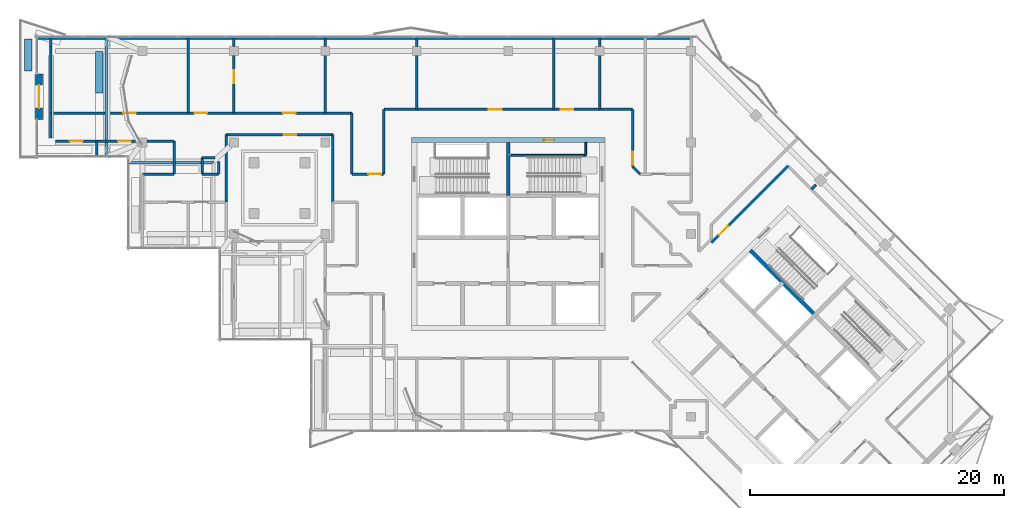
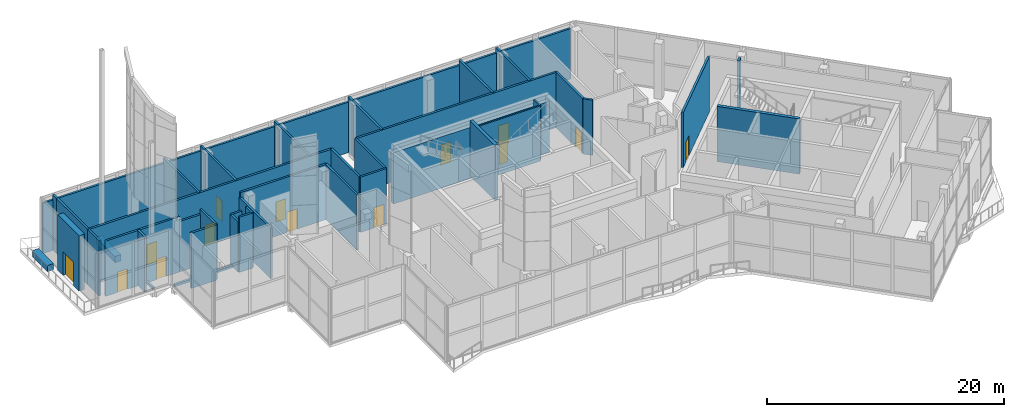
# One storey, part 14 of 19: 45 walls, 14 doors, 14 openings.
"""IFC4 building model written with IfcOpenShell, lengths in metres."""

from ifc_helpers import new_model, si_unit, direction, frame, frame_2d, origin, place, context, subcontext, project, spatial, polyline, rectangle, outline, extrude, material, layer, layer_set, type_object, element, fill, save


model = new_model("IFC4")

# Units and contexts
model_context = context("Model", 3, precision=1e-05, world=origin(), true_north=direction((0.0, 1.0)))
body_context = subcontext(model_context, "Body", "Model", "MODEL_VIEW")
ifc_project = project(units=[si_unit("LENGTHUNIT", "METRE"), si_unit("AREAUNIT", "SQUARE_METRE"), si_unit("VOLUMEUNIT", "CUBIC_METRE"), si_unit("PLANEANGLEUNIT", "RADIAN"), si_unit("MASSUNIT", "GRAM", prefix="KILO")], contexts=[model_context])

# Site, building, storey
site_placement = place(None, origin())
site = spatial("IfcSite", under=ifc_project, at=site_placement, CompositionType="ELEMENT")
building_placement = place(site_placement, origin())
building = spatial("IfcBuilding", under=site, at=building_placement, Name="Windrow Commons", CompositionType="ELEMENT")
storey_placement = place(building_placement, frame((0.0, 0.0, 284.6)))
storey = spatial("IfcBuildingStorey", under=building, at=storey_placement, Name="L78", CompositionType="ELEMENT", Elevation=284.6)

# Wall, opening, door
ifc_material_1 = material(Name="Brick masonry, red clay brick", Category="masonry")
ifc_layer_1 = layer(ifc_material_1, 0.55)
ifc_layer_set_1 = layer_set([ifc_layer_1], Name="Brick facade wall 550")
wall_type_1 = type_object("IfcWallType", Name="Brick facade wall 550", PredefinedType="SOLIDWALL", material=ifc_layer_set_1)
wall_1_placement = place(storey_placement, frame((27.875, 70.2, 0.0), z_axis=(0.0, 0.0, 1.0), x_axis=(0.0, -1.0, 0.0)))
wall_1 = element("IfcWall", 1, at=wall_1_placement, inside=storey, type_object=wall_type_1, Name="Brick facade wall L78 door pier 6", PredefinedType="SOLIDWALL", context=body_context, shape_type="SweptSolid", body=[
    extrude(rectangle(XDim=3.6, YDim=0.55, at=frame_2d((1.8, 0.0))), origin(), (0.0, 0.0, 1.0), 5.7),
])
opening_1_placement = place(wall_1_placement, frame((0.9, 0.0, 0.0)))
opening_1 = element("IfcOpeningElement", 2, at=opening_1_placement, cuts=wall_1, Name="Opening TD5", PredefinedType="OPENING", context=body_context, shape_type="SweptSolid", body=[
    extrude(rectangle(XDim=1.8, YDim=2.4, at=frame_2d((0.9, 1.2))), frame((0.0, 0.285, 0.0), z_axis=(0.0, -1.0, 0.0), x_axis=(1.0, 0.0, 0.0)), (0.0, 0.0, 1.0), 0.57),
])
ifc_material_2 = material(Name="Aluminium 6063-T6 anodised frame with clear glass", Category="aluminium")
door_type_1 = type_object("IfcDoorType", Name="Terrace door TD5 1800x2400", OperationType="DOUBLE_DOOR_SINGLE_SWING", PredefinedType="DOOR", material=ifc_material_2)
door_1_placement = place(opening_1_placement, origin())
door_1 = element("IfcDoor", 3, at=door_1_placement, inside=storey, type_object=door_type_1, Name="Terrace door L78 6.1", OperationType="SINGLE_SWING_LEFT", OverallHeight=2.4, OverallWidth=1.8, PredefinedType="DOOR", context=body_context, shape_type="SweptSolid", body=[
    extrude(rectangle(XDim=1.8, YDim=2.4, at=frame_2d((0.9, 1.2))), frame((0.0, 0.025, 0.0), z_axis=(0.0, -1.0, 0.0), x_axis=(1.0, 0.0, 0.0)), (0.0, 0.0, 1.0), 0.05),
])
fill(opening_1, door_1)

# Wall, openings, doors
ifc_material_3 = material(Name="Blockwork partition", Category="masonry")
ifc_layer_2 = layer(ifc_material_3, 0.2)
ifc_layer_set_2 = layer_set([ifc_layer_2], Name="IW-CORRIDOR-200")
wall_type_2 = type_object("IfcWallType", Name="IW-CORRIDOR-200", PredefinedType="PARTITIONING", material=ifc_layer_set_2)
wall_2_placement = place(storey_placement, frame((28.8, 67.1, 0.0), z_axis=(0.0, 0.0, 1.0), x_axis=(1.0, 0.0, 0.0)))
wall_2 = element("IfcWall", 4, at=wall_2_placement, inside=storey, type_object=wall_type_2, Name="W-L78-W001", PredefinedType="PARTITIONING", context=body_context, shape_type="SweptSolid", body=[
    extrude(rectangle(XDim=23.7, YDim=0.2, at=frame_2d((11.85, 0.0))), origin(), (0.0, 0.0, 1.0), 5.7),
])
opening_2_placement = place(wall_2_placement, frame((5.6842, 0.0, 0.0)))
opening_2 = element("IfcOpeningElement", 5, at=opening_2_placement, cuts=wall_2, Name="Opening D410F", PredefinedType="OPENING", context=body_context, shape_type="SweptSolid", body=[
    extrude(rectangle(XDim=1.0, YDim=2.1, at=frame_2d((0.5, 1.05))), frame((0.0, 0.11, 0.0), z_axis=(0.0, -1.0, 0.0), x_axis=(1.0, 0.0, 0.0)), (0.0, 0.0, 1.0), 0.22),
])
opening_3_placement = place(wall_2_placement, frame((11.3075, 0.0, 0.0)))
opening_3 = element("IfcOpeningElement", 6, at=opening_3_placement, cuts=wall_2, Name="Opening D410F", PredefinedType="OPENING", context=body_context, shape_type="SweptSolid", body=[
    extrude(rectangle(XDim=1.0, YDim=2.1, at=frame_2d((0.5, 1.05))), frame((0.0, 0.11, 0.0), z_axis=(0.0, -1.0, 0.0), x_axis=(1.0, 0.0, 0.0)), (0.0, 0.0, 1.0), 0.22),
])
opening_4_placement = place(wall_2_placement, frame((18.2625, 0.0, 0.0)))
opening_4 = element("IfcOpeningElement", 7, at=opening_4_placement, cuts=wall_2, Name="Opening D410F", PredefinedType="OPENING", context=body_context, shape_type="SweptSolid", body=[
    extrude(rectangle(XDim=1.0, YDim=2.1, at=frame_2d((0.5, 1.05))), frame((0.0, 0.11, 0.0), z_axis=(0.0, -1.0, 0.0), x_axis=(1.0, 0.0, 0.0)), (0.0, 0.0, 1.0), 0.22),
])
ifc_material_4 = material(Name="Timber door leaf", Category="wood")
door_type_2 = type_object("IfcDoorType", Name="DT-SERVICE-1000", OperationType="SINGLE_SWING_LEFT", PredefinedType="DOOR", material=ifc_material_4)
door_2_placement = place(opening_2_placement, origin())
door_2 = element("IfcDoor", 8, at=door_2_placement, inside=storey, type_object=door_type_2, Name="D-L78-D003", OperationType="SINGLE_SWING_RIGHT", OverallHeight=2.1, OverallWidth=1.0, PredefinedType="DOOR", context=body_context, shape_type="SweptSolid", body=[
    extrude(rectangle(XDim=1.0, YDim=2.1, at=frame_2d((0.5, 1.05))), frame((0.0, 0.025, 0.0), z_axis=(0.0, -1.0, 0.0), x_axis=(1.0, 0.0, 0.0)), (0.0, 0.0, 1.0), 0.05),
])
fill(opening_2, door_2)
door_3_placement = place(opening_3_placement, origin())
door_3 = element("IfcDoor", 9, at=door_3_placement, inside=storey, type_object=door_type_2, Name="D-L78-D006", OperationType="SINGLE_SWING_LEFT", OverallHeight=2.1, OverallWidth=1.0, PredefinedType="DOOR", context=body_context, shape_type="SweptSolid", body=[
    extrude(rectangle(XDim=1.0, YDim=2.1, at=frame_2d((0.5, 1.05))), frame((0.0, 0.025, 0.0), z_axis=(0.0, -1.0, 0.0), x_axis=(1.0, 0.0, 0.0)), (0.0, 0.0, 1.0), 0.05),
])
fill(opening_3, door_3)
door_4_placement = place(opening_4_placement, origin())
door_4 = element("IfcDoor", 10, at=door_4_placement, inside=storey, type_object=door_type_2, Name="D-L78-D007", OperationType="SINGLE_SWING_RIGHT", OverallHeight=2.1, OverallWidth=1.0, PredefinedType="DOOR", context=body_context, shape_type="SweptSolid", body=[
    extrude(rectangle(XDim=1.0, YDim=2.1, at=frame_2d((0.5, 1.05))), frame((0.0, 0.025, 0.0), z_axis=(0.0, -1.0, 0.0), x_axis=(1.0, 0.0, 0.0)), (0.0, 0.0, 1.0), 0.05),
])
fill(opening_4, door_4)

wall_3_placement = place(storey_placement, frame((55.002, 67.4, 0.0), z_axis=(0.0, 0.0, 1.0), x_axis=(1.0, 0.0, 0.0)))
wall_3 = element("IfcWall", 11, at=wall_3_placement, inside=storey, type_object=wall_type_2, Name="W-L78-W003", PredefinedType="PARTITIONING", context=body_context, shape_type="SweptSolid", body=[
    extrude(rectangle(XDim=19.598, YDim=0.2, at=frame_2d((9.799, 0.0))), origin(), (0.0, 0.0, 1.0), 5.7),
])
opening_5_placement = place(wall_3_placement, frame((8.2822, 0.0, 0.0)))
opening_5 = element("IfcOpeningElement", 12, at=opening_5_placement, cuts=wall_3, Name="Opening D410F", PredefinedType="OPENING", context=body_context, shape_type="SweptSolid", body=[
    extrude(rectangle(XDim=1.0, YDim=2.1, at=frame_2d((0.5, 1.05))), frame((0.0, 0.11, 0.0), z_axis=(0.0, -1.0, 0.0), x_axis=(1.0, 0.0, 0.0)), (0.0, 0.0, 1.0), 0.22),
])
opening_6_placement = place(wall_3_placement, frame((13.923, 0.0, 0.0)))
opening_6 = element("IfcOpeningElement", 13, at=opening_6_placement, cuts=wall_3, Name="Opening D410F", PredefinedType="OPENING", context=body_context, shape_type="SweptSolid", body=[
    extrude(rectangle(XDim=1.0, YDim=2.1, at=frame_2d((0.5, 1.05))), frame((0.0, 0.11, 0.0), z_axis=(0.0, -1.0, 0.0), x_axis=(1.0, 0.0, 0.0)), (0.0, 0.0, 1.0), 0.22),
])
door_5_placement = place(opening_5_placement, origin())
door_5 = element("IfcDoor", 14, at=door_5_placement, inside=storey, type_object=door_type_2, Name="D-L78-D015", OperationType="SINGLE_SWING_RIGHT", OverallHeight=2.1, OverallWidth=1.0, PredefinedType="DOOR", context=body_context, shape_type="SweptSolid", body=[
    extrude(rectangle(XDim=1.0, YDim=2.1, at=frame_2d((0.5, 1.05))), frame((0.0, 0.025, 0.0), z_axis=(0.0, -1.0, 0.0), x_axis=(1.0, 0.0, 0.0)), (0.0, 0.0, 1.0), 0.05),
])
fill(opening_5, door_5)
door_6_placement = place(opening_6_placement, origin())
door_6 = element("IfcDoor", 15, at=door_6_placement, inside=storey, type_object=door_type_2, Name="D-L78-D016", OperationType="SINGLE_SWING_LEFT", OverallHeight=2.1, OverallWidth=1.0, PredefinedType="DOOR", context=body_context, shape_type="SweptSolid", body=[
    extrude(rectangle(XDim=1.0, YDim=2.1, at=frame_2d((0.5, 1.05))), frame((0.0, 0.025, 0.0), z_axis=(0.0, -1.0, 0.0), x_axis=(1.0, 0.0, 0.0)), (0.0, 0.0, 1.0), 0.05),
])
fill(opening_6, door_6)

# Wall, opening, door
wall_4_placement = place(storey_placement, frame((80.8038, 56.9122, 0.0), z_axis=(0.0, 0.0, 1.0), x_axis=(0.7069896038, 0.7072239391, 0.0)))
wall_4 = element("IfcWall", 16, at=wall_4_placement, inside=storey, type_object=wall_type_2, Name="W-L78-W012", PredefinedType="PARTITIONING", context=body_context, shape_type="SweptSolid", body=[
    extrude(rectangle(XDim=8.5348, YDim=0.2, at=frame_2d((4.2674, 0.0))), origin(), (0.0, 0.0, 1.0), 5.7),
])
opening_7_placement = place(wall_4_placement, frame((0.8592, 0.0, 0.0)))
opening_7 = element("IfcOpeningElement", 17, at=opening_7_placement, cuts=wall_4, Name="Opening D410F", PredefinedType="OPENING", context=body_context, shape_type="SweptSolid", body=[
    extrude(rectangle(XDim=1.0, YDim=2.1, at=frame_2d((0.5, 1.05))), frame((0.0, 0.11, 0.0), z_axis=(0.0, -1.0, 0.0), x_axis=(1.0, 0.0, 0.0)), (0.0, 0.0, 1.0), 0.22),
])
door_7_placement = place(opening_7_placement, origin())
door_7 = element("IfcDoor", 18, at=door_7_placement, inside=storey, type_object=door_type_2, Name="D-L78-D022", OperationType="SINGLE_SWING_RIGHT", OverallHeight=2.1, OverallWidth=1.0, PredefinedType="DOOR", context=body_context, shape_type="SweptSolid", body=[
    extrude(rectangle(XDim=1.0, YDim=2.1, at=frame_2d((0.5, 1.05))), frame((0.0, 0.025, 0.0), z_axis=(0.0, -1.0, 0.0), x_axis=(1.0, 0.0, 0.0)), (0.0, 0.0, 1.0), 0.05),
])
fill(opening_7, door_7)

wall_5_placement = place(storey_placement, frame((42.602, 65.4, 0.0), z_axis=(0.0, 0.0, 1.0), x_axis=(1.0, 0.0, 0.0)))
wall_5 = element("IfcWall", 19, at=wall_5_placement, inside=storey, type_object=wall_type_2, Name="W-L78-W014", PredefinedType="PARTITIONING", context=body_context, shape_type="SweptSolid", body=[
    extrude(rectangle(XDim=8.398, YDim=0.2, at=frame_2d((4.199, 0.0))), origin(), (0.0, 0.0, 1.0), 5.7),
])
opening_8_placement = place(wall_5_placement, frame((4.526, 0.0, 0.0)))
opening_8 = element("IfcOpeningElement", 20, at=opening_8_placement, cuts=wall_5, Name="Opening D410F", PredefinedType="OPENING", context=body_context, shape_type="SweptSolid", body=[
    extrude(rectangle(XDim=1.0, YDim=2.1, at=frame_2d((0.5, 1.05))), frame((0.0, 0.11, 0.0), z_axis=(0.0, -1.0, 0.0), x_axis=(1.0, 0.0, 0.0)), (0.0, 0.0, 1.0), 0.22),
])
door_8_placement = place(opening_8_placement, origin())
door_8 = element("IfcDoor", 21, at=door_8_placement, inside=storey, type_object=door_type_2, Name="D-L78-D029", OperationType="SINGLE_SWING_LEFT", OverallHeight=2.1, OverallWidth=1.0, PredefinedType="DOOR", context=body_context, shape_type="SweptSolid", body=[
    extrude(rectangle(XDim=1.0, YDim=2.1, at=frame_2d((0.5, 1.05))), frame((0.0, 0.025, 0.0), z_axis=(0.0, -1.0, 0.0), x_axis=(1.0, 0.0, 0.0)), (0.0, 0.0, 1.0), 0.05),
])
fill(opening_8, door_8)

# Wall, openings, doors
wall_6_placement = place(storey_placement, frame((29.15, 64.9, 0.0), z_axis=(0.0, 0.0, 1.0), x_axis=(1.0, 0.0, 0.0)))
wall_6 = element("IfcWall", 22, at=wall_6_placement, inside=storey, type_object=wall_type_2, Name="W-L78-W017", PredefinedType="PARTITIONING", context=body_context, shape_type="SweptSolid", body=[
    extrude(rectangle(XDim=7.2, YDim=0.2, at=frame_2d((3.6, 0.0))), origin(), (0.0, 0.0, 1.0), 5.7),
])
opening_9_placement = place(wall_6_placement, frame((1.1404, 0.0, 0.0)))
opening_9 = element("IfcOpeningElement", 23, at=opening_9_placement, cuts=wall_6, Name="Opening D410F", PredefinedType="OPENING", context=body_context, shape_type="SweptSolid", body=[
    extrude(rectangle(XDim=1.0, YDim=2.1, at=frame_2d((0.5, 1.05))), frame((0.0, 0.11, 0.0), z_axis=(0.0, -1.0, 0.0), x_axis=(1.0, 0.0, 0.0)), (0.0, 0.0, 1.0), 0.22),
])
opening_10_placement = place(wall_6_placement, frame((4.9433, 0.0, 0.0)))
opening_10 = element("IfcOpeningElement", 24, at=opening_10_placement, cuts=wall_6, Name="Opening D410F", PredefinedType="OPENING", context=body_context, shape_type="SweptSolid", body=[
    extrude(rectangle(XDim=1.0, YDim=2.1, at=frame_2d((0.5, 1.05))), frame((0.0, 0.11, 0.0), z_axis=(0.0, -1.0, 0.0), x_axis=(1.0, 0.0, 0.0)), (0.0, 0.0, 1.0), 0.22),
])
door_9_placement = place(opening_9_placement, origin())
door_9 = element("IfcDoor", 25, at=door_9_placement, inside=storey, type_object=door_type_2, Name="D-L78-D002", OperationType="SINGLE_SWING_RIGHT", OverallHeight=2.1, OverallWidth=1.0, PredefinedType="DOOR", context=body_context, shape_type="SweptSolid", body=[
    extrude(rectangle(XDim=1.0, YDim=2.1, at=frame_2d((0.5, 1.05))), frame((0.0, 0.025, 0.0), z_axis=(0.0, -1.0, 0.0), x_axis=(1.0, 0.0, 0.0)), (0.0, 0.0, 1.0), 0.05),
])
fill(opening_9, door_9)
door_10_placement = place(opening_10_placement, origin())
door_10 = element("IfcDoor", 26, at=door_10_placement, inside=storey, type_object=door_type_2, Name="D-L78-D004", OperationType="SINGLE_SWING_RIGHT", OverallHeight=2.1, OverallWidth=1.0, PredefinedType="DOOR", context=body_context, shape_type="SweptSolid", body=[
    extrude(rectangle(XDim=1.0, YDim=2.1, at=frame_2d((0.5, 1.05))), frame((0.0, 0.025, 0.0), z_axis=(0.0, -1.0, 0.0), x_axis=(1.0, 0.0, 0.0)), (0.0, 0.0, 1.0), 0.05),
])
fill(opening_10, door_10)

# Walls
wall_7_placement = place(storey_placement, frame((51.0, 60.1, 0.0), z_axis=(0.0, 0.0, 1.0), x_axis=(0.0, 1.0, 0.0)))
element("IfcWall", 27, at=wall_7_placement, inside=storey, type_object=wall_type_2, Name="W-L78-W027", PredefinedType="PARTITIONING", context=body_context, shape_type="SweptSolid", body=[
    extrude(rectangle(XDim=5.3, YDim=0.2, at=frame_2d((2.65, 0.0))), origin(), (0.0, 0.0, 1.0), 5.7),
])
wall_8_placement = place(storey_placement, frame((42.6, 60.1, 0.0), z_axis=(0.0, 0.0, 1.0), x_axis=(0.0, 1.0, 0.0)))
element("IfcWall", 28, at=wall_8_placement, inside=storey, type_object=wall_type_2, Name="W-L78-W028", PredefinedType="PARTITIONING", context=body_context, shape_type="SweptSolid", body=[
    extrude(rectangle(XDim=5.3, YDim=0.2, at=frame_2d((2.65, 0.0))), origin(), (0.0, 0.0, 1.0), 5.2),
])
wall_9_placement = place(storey_placement, frame((55.0, 62.302, 0.0), z_axis=(0.0, 0.0, 1.0), x_axis=(0.0, 1.0, 0.0)))
element("IfcWall", 29, at=wall_9_placement, inside=storey, type_object=wall_type_2, Name="W-L78-W030", PredefinedType="PARTITIONING", context=body_context, shape_type="SweptSolid", body=[
    extrude(rectangle(XDim=5.098, YDim=0.2, at=frame_2d((2.549, 0.0))), origin(), (0.0, 0.0, 1.0), 5.7),
])
wall_10_placement = place(storey_placement, frame((52.5, 62.302, 0.0), z_axis=(0.0, 0.0, 1.0), x_axis=(0.0, 1.0, 0.0)))
element("IfcWall", 30, at=wall_10_placement, inside=storey, type_object=wall_type_2, Name="W-L78-W032", PredefinedType="PARTITIONING", context=body_context, shape_type="SweptSolid", body=[
    extrude(rectangle(XDim=4.798, YDim=0.2, at=frame_2d((2.399, 0.0))), origin(), (0.0, 0.0, 1.0), 5.7),
])

# Wall, opening, door
wall_11_placement = place(storey_placement, frame((74.6, 62.882, 0.0), z_axis=(0.0, 0.0, 1.0), x_axis=(0.0, 1.0, 0.0)))
wall_11 = element("IfcWall", 31, at=wall_11_placement, inside=storey, type_object=wall_type_2, Name="W-L78-W040", PredefinedType="PARTITIONING", context=body_context, shape_type="SweptSolid", body=[
    extrude(rectangle(XDim=4.518, YDim=0.2, at=frame_2d((2.259, 0.0))), origin(), (0.0, 0.0, 1.0), 5.7),
])
opening_11_placement = place(wall_11_placement, frame((0.1673, 0.0, 0.0)))
opening_11 = element("IfcOpeningElement", 32, at=opening_11_placement, cuts=wall_11, Name="Opening D410F", PredefinedType="OPENING", context=body_context, shape_type="SweptSolid", body=[
    extrude(rectangle(XDim=1.0, YDim=2.1, at=frame_2d((0.5, 1.05))), frame((0.0, 0.11, 0.0), z_axis=(0.0, -1.0, 0.0), x_axis=(1.0, 0.0, 0.0)), (0.0, 0.0, 1.0), 0.22),
])
door_11_placement = place(opening_11_placement, origin())
door_11 = element("IfcDoor", 33, at=door_11_placement, inside=storey, type_object=door_type_2, Name="D-L78-D009", OperationType="SINGLE_SWING_RIGHT", OverallHeight=2.1, OverallWidth=1.0, PredefinedType="DOOR", context=body_context, shape_type="SweptSolid", body=[
    extrude(rectangle(XDim=1.0, YDim=2.1, at=frame_2d((0.5, 1.05))), frame((0.0, 0.025, 0.0), z_axis=(0.0, -1.0, 0.0), x_axis=(1.0, 0.0, 0.0)), (0.0, 0.0, 1.0), 0.05),
])
fill(opening_11, door_11)

# Walls
wall_12_placement = place(storey_placement, frame((38.5, 62.302, 0.0), z_axis=(0.0, 0.0, 1.0), x_axis=(0.0, 1.0, 0.0)))
element("IfcWall", 34, at=wall_12_placement, inside=storey, type_object=wall_type_2, Name="W-L78-W056", PredefinedType="PARTITIONING", context=body_context, shape_type="SweptSolid", body=[
    extrude(rectangle(XDim=2.598, YDim=0.2, at=frame_2d((1.299, 0.0))), origin(), (0.0, 0.0, 1.0), 5.7),
])
wall_13_placement = place(storey_placement, frame((36.002, 62.3, 0.0), z_axis=(0.0, 0.0, 1.0), x_axis=(1.0, 0.0, 0.0)))
element("IfcWall", 35, at=wall_13_placement, inside=storey, type_object=wall_type_2, Name="W-L78-W062", PredefinedType="PARTITIONING", context=body_context, shape_type="SweptSolid", body=[
    extrude(rectangle(XDim=2.498, YDim=0.2, at=frame_2d((1.249, 0.0))), origin(), (0.0, 0.0, 1.0), 5.7),
])

# Wall, opening, door
wall_14_placement = place(storey_placement, frame((52.502, 62.3, 0.0), z_axis=(0.0, 0.0, 1.0), x_axis=(1.0, 0.0, 0.0)))
wall_14 = element("IfcWall", 36, at=wall_14_placement, inside=storey, type_object=wall_type_2, Name="W-L78-W063", PredefinedType="PARTITIONING", context=body_context, shape_type="SweptSolid", body=[
    extrude(rectangle(XDim=2.498, YDim=0.2, at=frame_2d((1.249, 0.0))), origin(), (0.0, 0.0, 1.0), 5.7),
])
opening_12_placement = place(wall_14_placement, frame((1.2988, 0.0, 0.0)))
opening_12 = element("IfcOpeningElement", 37, at=opening_12_placement, cuts=wall_14, Name="Opening D410F", PredefinedType="OPENING", context=body_context, shape_type="SweptSolid", body=[
    extrude(rectangle(XDim=1.0, YDim=2.1, at=frame_2d((0.5, 1.05))), frame((0.0, 0.11, 0.0), z_axis=(0.0, -1.0, 0.0), x_axis=(1.0, 0.0, 0.0)), (0.0, 0.0, 1.0), 0.22),
])
door_12_placement = place(opening_12_placement, origin())
door_12 = element("IfcDoor", 38, at=door_12_placement, inside=storey, type_object=door_type_2, Name="D-L78-D008", OperationType="SINGLE_SWING_RIGHT", OverallHeight=2.1, OverallWidth=1.0, PredefinedType="DOOR", context=body_context, shape_type="SweptSolid", body=[
    extrude(rectangle(XDim=1.0, YDim=2.1, at=frame_2d((0.5, 1.05))), frame((0.0, 0.025, 0.0), z_axis=(0.0, -1.0, 0.0), x_axis=(1.0, 0.0, 0.0)), (0.0, 0.0, 1.0), 0.05),
])
fill(opening_12, door_12)

# Walls
wall_15_placement = place(storey_placement, frame((36.35, 64.9, 0.0), z_axis=(0.0, 0.0, 1.0), x_axis=(1.0, 0.0, 0.0)))
element("IfcWall", 39, at=wall_15_placement, inside=storey, type_object=wall_type_2, Name="W-L78-W071", PredefinedType="PARTITIONING", context=body_context, shape_type="SweptSolid", body=[
    extrude(rectangle(XDim=2.15, YDim=0.2, at=frame_2d((1.075, 0.0))), origin(), (0.0, 0.0, 1.0), 5.2),
])
wall_16_placement = place(storey_placement, frame((28.8, 65.15, 0.0), z_axis=(0.0, 0.0, 1.0), x_axis=(0.0, 1.0, 0.0)))
element("IfcWall", 40, at=wall_16_placement, inside=storey, type_object=wall_type_2, Name="W-L78-W076", PredefinedType="PARTITIONING", context=body_context, shape_type="SweptSolid", body=[
    extrude(rectangle(XDim=1.95, YDim=0.2, at=frame_2d((0.975, 0.0))), origin(), (0.0, 0.0, 1.0), 5.7),
])
wall_17_placement = place(storey_placement, frame((40.702, 62.3, 0.0), z_axis=(0.0, 0.0, 1.0), x_axis=(1.0, 0.0, 0.0)))
element("IfcWall", 41, at=wall_17_placement, inside=storey, type_object=wall_type_2, Name="W-L78-W082", PredefinedType="PARTITIONING", context=body_context, shape_type="SweptSolid", body=[
    extrude(rectangle(XDim=1.298, YDim=0.2, at=frame_2d((0.649, 0.0))), origin(), (0.0, 0.0, 1.0), 5.7),
])
wall_18_placement = place(storey_placement, frame((40.7, 62.302, 0.0), z_axis=(0.0, 0.0, 1.0), x_axis=(0.0, 1.0, 0.0)))
element("IfcWall", 42, at=wall_18_placement, inside=storey, type_object=wall_type_2, Name="W-L78-W083", PredefinedType="PARTITIONING", context=body_context, shape_type="SweptSolid", body=[
    extrude(rectangle(XDim=1.298, YDim=0.2, at=frame_2d((0.649, 0.0))), origin(), (0.0, 0.0, 1.0), 5.2),
])
wall_19_placement = place(storey_placement, frame((40.702, 63.6, 0.0), z_axis=(0.0, 0.0, 1.0), x_axis=(1.0, 0.0, 0.0)))
element("IfcWall", 43, at=wall_19_placement, inside=storey, type_object=wall_type_2, Name="W-L78-W088", PredefinedType="PARTITIONING", context=body_context, shape_type="SweptSolid", body=[
    extrude(rectangle(XDim=0.998, YDim=0.2, at=frame_2d((0.499, 0.0))), origin(), (0.0, 0.0, 1.0), 5.2),
])
wall_20_placement = place(storey_placement, frame((42.0, 62.302, 0.0), z_axis=(0.0, 0.0, 1.0), x_axis=(0.0, 1.0, 0.0)))
element("IfcWall", 44, at=wall_20_placement, inside=storey, type_object=wall_type_2, Name="W-L78-W089", PredefinedType="PARTITIONING", context=body_context, shape_type="SweptSolid", body=[
    extrude(rectangle(XDim=0.998, YDim=0.2, at=frame_2d((0.499, 0.0))), origin(), (0.0, 0.0, 1.0), 5.7),
])
wall_21_placement = place(storey_placement, frame((74.5969, 62.8789, 0.0), z_axis=(0.0, 0.0, 1.0), x_axis=(0.7071067812, -0.7071067812, 0.0)))
element("IfcWall", 45, at=wall_21_placement, inside=storey, type_object=wall_type_2, Name="W-L78-W091", PredefinedType="PARTITIONING", context=body_context, shape_type="SweptSolid", body=[
    extrude(rectangle(XDim=0.8231, YDim=0.2, at=frame_2d((0.4116, 0.0))), origin(), (0.0, 0.0, 1.0), 5.7),
])
ifc_material_5 = material(Name="Blockwork partition", Category="masonry")
ifc_layer_3 = layer(ifc_material_5, 0.2)
ifc_layer_set_3 = layer_set([ifc_layer_3], Name="IW-PARTY-200")
wall_type_3 = type_object("IfcWallType", Name="IW-PARTY-200", PredefinedType="PARTITIONING", material=ifc_layer_set_3)
wall_22_placement = place(storey_placement, frame((27.73, 73.0, 0.0), z_axis=(0.0, 0.0, 1.0), x_axis=(1.0, 0.0, 0.0)))
element("IfcWall", 46, at=wall_22_placement, inside=storey, type_object=wall_type_3, Name="W-L78-W000", PredefinedType="PARTITIONING", context=body_context, shape_type="SweptSolid", body=[
    extrude(rectangle(XDim=51.47, YDim=0.2, at=frame_2d((25.735, 0.0))), origin(), (0.0, 0.0, 1.0), 5.2),
])
wall_23_placement = place(storey_placement, frame((39.6, 67.1, 0.0), z_axis=(0.0, 0.0, 1.0), x_axis=(0.0, 1.0, 0.0)))
element("IfcWall", 47, at=wall_23_placement, inside=storey, type_object=wall_type_3, Name="W-L78-W023", PredefinedType="PARTITIONING", context=body_context, shape_type="SweptSolid", body=[
    extrude(rectangle(XDim=5.9, YDim=0.2, at=frame_2d((2.95, 0.0))), origin(), (0.0, 0.0, 1.0), 5.7),
])
wall_24_placement = place(storey_placement, frame((68.4, 67.4, 0.0), z_axis=(0.0, 0.0, 1.0), x_axis=(0.0, 1.0, 0.0)))
element("IfcWall", 48, at=wall_24_placement, inside=storey, type_object=wall_type_3, Name="W-L78-W026", PredefinedType="PARTITIONING", context=body_context, shape_type="SweptSolid", body=[
    extrude(rectangle(XDim=5.6, YDim=0.2, at=frame_2d((2.8, 0.0))), origin(), (0.0, 0.0, 1.0), 5.7),
])
wall_25_placement = place(storey_placement, frame((28.8, 67.1, 0.0), z_axis=(0.0, 0.0, 1.0), x_axis=(0.0, 1.0, 0.0)))
element("IfcWall", 49, at=wall_25_placement, inside=storey, type_object=wall_type_3, Name="W-L78-W037", PredefinedType="PARTITIONING", context=body_context, shape_type="SweptSolid", body=[
    extrude(rectangle(XDim=5.25, YDim=0.2, at=frame_2d((2.625, 0.0))), origin(), (0.0, 0.0, 1.0), 5.7),
])

# Wall, opening, door
wall_26_placement = place(storey_placement, frame((43.2, 67.1, 0.0), z_axis=(0.0, 0.0, 1.0), x_axis=(0.0, 1.0, 0.0)))
wall_26 = element("IfcWall", 50, at=wall_26_placement, inside=storey, type_object=wall_type_3, Name="W-L78-W038", PredefinedType="PARTITIONING", context=body_context, shape_type="SweptSolid", body=[
    extrude(rectangle(XDim=5.25, YDim=0.2, at=frame_2d((2.625, 0.0))), origin(), (0.0, 0.0, 1.0), 5.7),
])
opening_13_placement = place(wall_26_placement, frame((2.37, 0.0, 0.0)))
opening_13 = element("IfcOpeningElement", 51, at=opening_13_placement, cuts=wall_26, Name="Opening D310N", PredefinedType="OPENING", context=body_context, shape_type="SweptSolid", body=[
    extrude(rectangle(XDim=1.0, YDim=2.1, at=frame_2d((0.5, 1.05))), frame((0.0, 0.11, 0.0), z_axis=(0.0, -1.0, 0.0), x_axis=(1.0, 0.0, 0.0)), (0.0, 0.0, 1.0), 0.22),
])
ifc_material_6 = material(Name="Timber door leaf", Category="wood")
door_type_3 = type_object("IfcDoorType", Name="DT-AMENITY-1000", OperationType="SINGLE_SWING_LEFT", PredefinedType="DOOR", material=ifc_material_6)
door_13_placement = place(opening_13_placement, origin())
door_13 = element("IfcDoor", 52, at=door_13_placement, inside=storey, type_object=door_type_3, Name="D-L78-DX01", OperationType="SINGLE_SWING_LEFT", OverallHeight=2.1, OverallWidth=1.0, PredefinedType="DOOR", context=body_context, shape_type="SweptSolid", body=[
    extrude(rectangle(XDim=1.0, YDim=2.1, at=frame_2d((0.5, 1.05))), frame((0.0, 0.025, 0.0), z_axis=(0.0, -1.0, 0.0), x_axis=(1.0, 0.0, 0.0)), (0.0, 0.0, 1.0), 0.05),
])
fill(opening_13, door_13)

# Walls
wall_27_placement = place(storey_placement, frame((50.4, 67.1, 0.0), z_axis=(0.0, 0.0, 1.0), x_axis=(0.0, 1.0, 0.0)))
element("IfcWall", 53, at=wall_27_placement, inside=storey, type_object=wall_type_3, Name="W-L78-W039", PredefinedType="PARTITIONING", context=body_context, shape_type="SweptSolid", body=[
    extrude(rectangle(XDim=5.25, YDim=0.2, at=frame_2d((2.625, 0.0))), origin(), (0.0, 0.0, 1.0), 5.7),
])
for number, where, z_axis, x_axis, name in (
    (54, (57.6, 67.4, 0.0), (0.0, 0.0, 1.0), (0.0, 1.0, 0.0), "W-L78-W043"),
    (55, (72.0, 67.4, 0.0), (0.0, 0.0, 1.0), (0.0, 1.0, 0.0), "W-L78-W046"),
):
    element("IfcWall", number, at=place(storey_placement, frame(where, z_axis=z_axis, x_axis=x_axis)), inside=storey, type_object=wall_type_3, Name=name, PredefinedType="PARTITIONING", context=body_context, shape_type="SweptSolid", body=[
        extrude(rectangle(XDim=4.95, YDim=0.2, at=frame_2d((2.475, 0.0))), origin(), (0.0, 0.0, 1.0), 5.7),
    ])
wall_28_placement = place(storey_placement, frame((32.4, 63.73, 0.0), z_axis=(0.0, 0.0, 1.0), x_axis=(0.0, 1.0, 0.0)))
element("IfcWall", 56, at=wall_28_placement, inside=storey, type_object=wall_type_3, Name="W-L78-W085", PredefinedType="PARTITIONING", context=body_context, shape_type="SweptSolid", body=[
    extrude(rectangle(XDim=1.17, YDim=0.2, at=frame_2d((0.585, 0.0))), origin(), (0.0, 0.0, 1.0), 5.7),
])
for number, where, z_axis, x_axis, name in (
    (57, (28.8, 72.35, 0.0), (0.0, 0.0, 1.0), (0.0, 1.0, 0.0), "W-L78-W101"),
    (58, (43.2, 72.35, 0.0), (0.0, 0.0, 1.0), (0.0, 1.0, 0.0), "W-L78-W102"),
    (59, (50.4, 72.35, 0.0), (0.0, 0.0, 1.0), (0.0, 1.0, 0.0), "W-L78-W103"),
    (60, (57.6, 72.35, 0.0), (0.0, 0.0, 1.0), (0.0, 1.0, 0.0), "W-L78-W104"),
    (61, (72.0, 72.35, 0.0), (0.0, 0.0, 1.0), (0.0, 1.0, 0.0), "W-L78-W105"),
):
    element("IfcWall", number, at=place(storey_placement, frame(where, z_axis=z_axis, x_axis=x_axis)), inside=storey, type_object=wall_type_3, Name=name, PredefinedType="PARTITIONING", context=body_context, shape_type="SweptSolid", body=[
        extrude(rectangle(XDim=0.65, YDim=0.2, at=frame_2d((0.325, 0.0))), origin(), (0.0, 0.0, 1.0), 5.7),
    ])
wall_29_placement = place(storey_placement, frame((88.6745, 61.1115, 0.0), z_axis=(0.0, 0.0, 1.0), x_axis=(0.7071067812, 0.7071067812, 0.0)))
element("IfcWall", 62, at=wall_29_placement, inside=storey, type_object=wall_type_3, Name="W-L78-W113", PredefinedType="PARTITIONING", context=body_context, shape_type="SweptSolid", body=[
    extrude(rectangle(XDim=0.5063, YDim=0.2, at=frame_2d((0.2531, 0.0))), origin(), (0.0, 0.0, 1.0), 5.7),
])
ifc_material_7 = material(Name="Concrete C30/37 planter wall", Category="concrete")
ifc_layer_4 = layer(ifc_material_7, 0.6)
ifc_layer_set_4 = layer_set([ifc_layer_4], Name="Planter 600x450")
wall_type_4 = type_object("IfcWallType", Name="Planter 600x450", PredefinedType="SOLIDWALL", material=ifc_layer_set_4)
wall_30_placement = place(storey_placement, frame((27.017, 72.942, 0.0), z_axis=(0.0, 0.0, 1.0), x_axis=(0.0, -1.0, 0.0)))
element("IfcWall", 63, at=wall_30_placement, inside=storey, type_object=wall_type_4, Name="PLANTER TR-L78-1.1", PredefinedType="SOLIDWALL", context=body_context, shape_type="SweptSolid", body=[
    extrude(rectangle(XDim=2.542, YDim=0.6, at=frame_2d((1.271, 0.0))), origin(), (0.0, 0.0, 1.0), 0.65),
])
wall_31_placement = place(storey_placement, frame((32.617, 68.7, 0.0), z_axis=(0.0, 0.0, 1.0), x_axis=(0.0, 1.0, 0.0)))
element("IfcWall", 64, at=wall_31_placement, inside=storey, type_object=wall_type_4, Name="PLANTER TR-L78-1.3", PredefinedType="SOLIDWALL", context=body_context, shape_type="SweptSolid", body=[
    extrude(rectangle(XDim=3.25, YDim=0.6, at=frame_2d((1.625, 0.0))), origin(), (0.0, 0.0, 1.0), 0.65),
])

# Wall, opening, door
ifc_material_8 = material(Name="Concrete C40/50", Category="concrete")
ifc_layer_5 = layer(ifc_material_8, 0.4)
ifc_layer_set_5 = layer_set([ifc_layer_5], Name="RC CORE WALL 400 C40/50")
wall_type_5 = type_object("IfcWallType", Name="RC CORE WALL 400 C40/50", PredefinedType="SHEAR", material=ifc_layer_set_5)
wall_32_placement = place(storey_placement, frame((57.2, 65.0, -0.3), z_axis=(0.0, 0.0, 1.0), x_axis=(1.0, 0.0, 0.0)))
wall_32 = element("IfcWall", 65, at=wall_32_placement, inside=storey, type_object=wall_type_5, Name="Core A wall outer-N", PredefinedType="SHEAR", context=body_context, shape_type="SweptSolid", body=[
    extrude(rectangle(XDim=15.2, YDim=0.4, at=frame_2d((7.6, 0.0))), origin(), (0.0, 0.0, 1.0), 5.3),
])
opening_14_placement = place(wall_32_placement, frame((10.4, 0.0, 0.3)))
opening_14 = element("IfcOpeningElement", 66, at=opening_14_placement, cuts=wall_32, Name="Opening D9", PredefinedType="OPENING", context=body_context, shape_type="SweptSolid", body=[
    extrude(rectangle(XDim=0.8, YDim=2.1, at=frame_2d((0.4, 1.05))), frame((0.0, 0.21, 0.0), z_axis=(0.0, -1.0, 0.0), x_axis=(1.0, 0.0, 0.0)), (0.0, 0.0, 1.0), 0.42),
])
ifc_material_9 = material(Name="Steel fire door leaf", Category="steel")
door_type_4 = type_object("IfcDoorType", Name="Riser access door 800", OperationType="SINGLE_SWING_LEFT", PredefinedType="DOOR", material=ifc_material_9)
door_14_placement = place(opening_14_placement, origin())
door_14 = element("IfcDoor", 67, at=door_14_placement, inside=storey, type_object=door_type_4, Name="Riser access door", OperationType="SINGLE_SWING_RIGHT", OverallHeight=2.1, OverallWidth=0.8, PredefinedType="DOOR", context=body_context, shape_type="SweptSolid", body=[
    extrude(rectangle(XDim=0.8, YDim=2.1, at=frame_2d((0.4, 1.05))), frame((0.0, 0.025, 0.0), z_axis=(0.0, -1.0, 0.0), x_axis=(1.0, 0.0, 0.0)), (0.0, 0.0, 1.0), 0.05),
])
fill(opening_14, door_14)

# Walls
ifc_material_10 = material(Name="Concrete C40/50", Category="concrete")
ifc_layer_6 = layer(ifc_material_10, 0.3)
ifc_layer_set_6 = layer_set([ifc_layer_6], Name="RC SHAFT WALL 300 C40/50")
wall_type_6 = type_object("IfcWallType", Name="RC SHAFT WALL 300 C40/50", PredefinedType="SOLIDWALL", material=ifc_layer_set_6)
wall_33_placement = place(storey_placement, frame((64.8, 60.6, 0.0), z_axis=(0.0, 0.0, 1.0), x_axis=(0.0, 1.0, 0.0)))
element("IfcWall", 68, at=wall_33_placement, inside=storey, type_object=wall_type_6, Name="Core A wall stair-mid", PredefinedType="SOLIDWALL", context=body_context, shape_type="SweptSolid", body=[
    extrude(rectangle(XDim=4.2, YDim=0.3, at=frame_2d((2.1, 0.0))), origin(), (0.0, 0.0, 1.0), 5.7),
])
wall_34_placement = place(storey_placement, frame((83.8669, 56.3022, 0.0), z_axis=(0.0, 0.0, 1.0), x_axis=(0.7071137256, -0.7070998367, 0.0)))
element("IfcWall", 69, at=wall_34_placement, inside=storey, type_object=wall_type_6, Name="Core B wall stair-S", PredefinedType="SOLIDWALL", context=body_context, shape_type="SweptSolid", body=[
    extrude(rectangle(XDim=7.2, YDim=0.3, at=frame_2d((3.6, 0.0))), origin(), (0.0, 0.0, 1.0), 5.7),
])
ifc_material_11 = material(Name="Blockwork partition", Category="masonry")
ifc_layer_7 = layer(ifc_material_11, 0.15)
ifc_layer_set_7 = layer_set([ifc_layer_7], Name="Riser partition 150")
wall_type_7 = type_object("IfcWallType", Name="Riser partition 150", PredefinedType="PARTITIONING", material=ifc_layer_set_7)
wall_35_placement = place(storey_placement, frame((64.95, 63.78, 0.0), z_axis=(0.0, 0.0, 1.0), x_axis=(1.0, 0.0, 0.0)))
element("IfcWall", 70, at=wall_35_placement, inside=storey, type_object=wall_type_7, Name="W-core-strip-A-L78", PredefinedType="PARTITIONING", context=body_context, shape_type="SweptSolid", body=[
    extrude(rectangle(XDim=5.95, YDim=0.15, at=frame_2d((2.975, 0.0))), origin(), (0.0, 0.0, 1.0), 5.7),
])
wall_36_placement = place(storey_placement, frame((70.9, 63.78, 0.0), z_axis=(0.0, 0.0, 1.0), x_axis=(0.0, 1.0, 0.0)))
element("IfcWall", 71, at=wall_36_placement, inside=storey, type_object=wall_type_7, Name="W-core-stripx-A-L78-1", PredefinedType="PARTITIONING", context=body_context, shape_type="SweptSolid", body=[
    extrude(rectangle(XDim=1.02, YDim=0.15, at=frame_2d((0.51, 0.0))), origin(), (0.0, 0.0, 1.0), 5.7),
])
ifc_material_12 = material(Name="Brick masonry, red clay brick", Category="masonry")
ifc_layer_8 = layer(ifc_material_12, 0.2)
ifc_layer_set_8 = layer_set([ifc_layer_8], Name="Terrace edge parapet 200")
wall_type_8 = type_object("IfcWallType", Name="Terrace edge parapet 200", PredefinedType="PARAPET", material=ifc_layer_set_8)
wall_37_placement = place(storey_placement, frame((33.167, 63.7, 0.0), z_axis=(0.0, 0.0, 1.0), x_axis=(0.0, 1.0, 0.0)))
element("IfcWall", 72, at=wall_37_placement, inside=storey, type_object=wall_type_8, Name="Terrace parapet TR-L78-1.1.1", PredefinedType="PARAPET", context=body_context, shape_type="SweptSolid", body=[
    extrude(outline(polyline([(0.0, -0.1), (9.4, -0.1), (9.4, 0.1), (0.0, 0.1), (0.0, -0.1)])), origin(), (0.0, 0.0, 1.0), 0.25),
])
wall_38_placement = place(storey_placement, frame((41.6, 63.2, 0.0), z_axis=(0.0, 0.0, 1.0), x_axis=(-1.0, 0.0, 0.0)))
element("IfcWall", 73, at=wall_38_placement, inside=storey, type_object=wall_type_8, Name="Terrace parapet TR-L78-2.1.2", PredefinedType="PARAPET", context=body_context, shape_type="SweptSolid", body=[
    extrude(outline(polyline([(-0.1, -0.1), (6.7, -0.1), (6.7, 0.1), (0.1, 0.1), (-0.1, -0.1)])), origin(), (0.0, 0.0, 1.0), 0.25),
])

save(model, "model.ifc")
